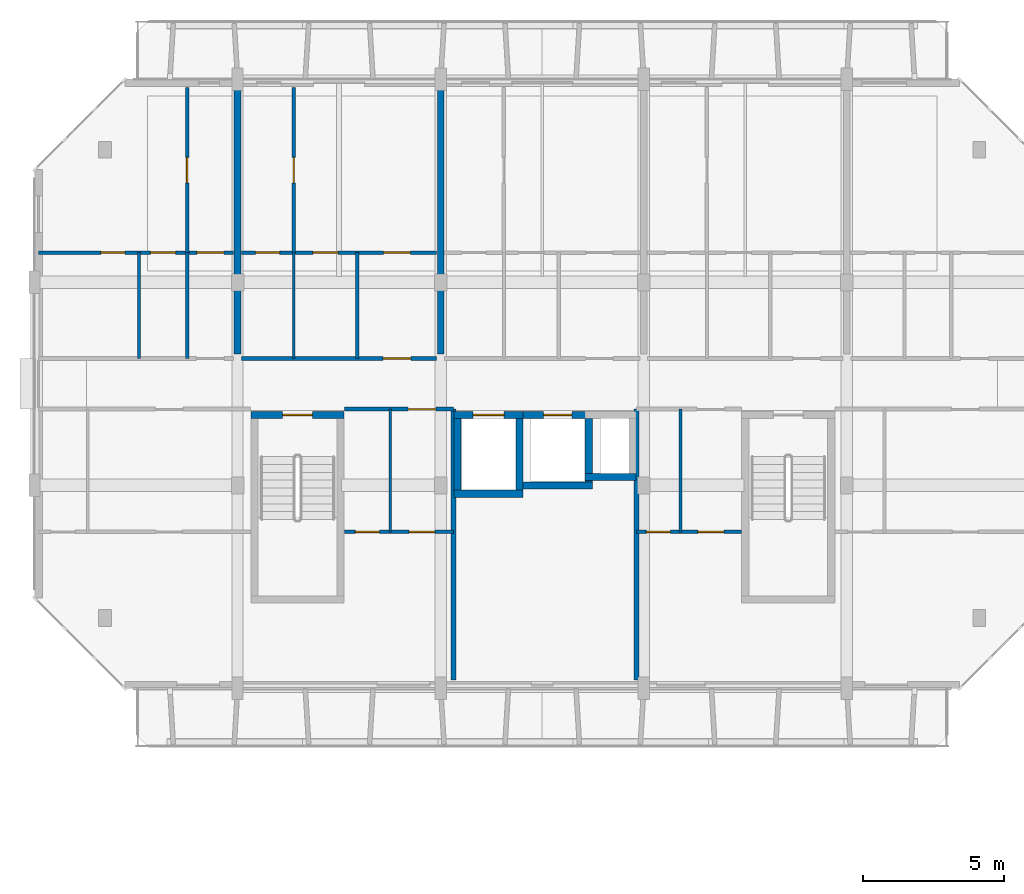
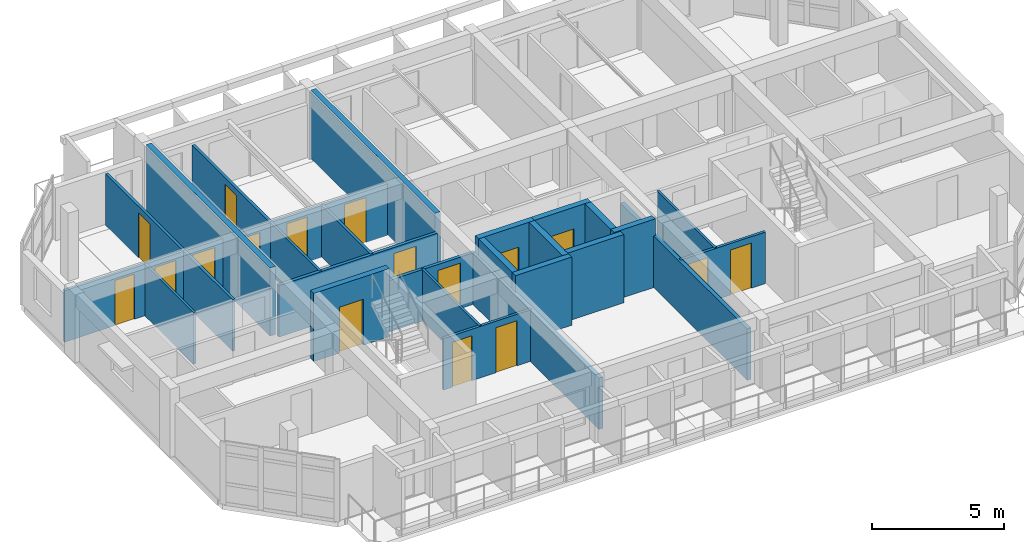
# One storey, part 19 of 44: 27 walls, 17 doors, 17 openings.
"""IFC4 building model written with IfcOpenShell, lengths in metres."""

from ifc_helpers import new_model, si_unit, direction, frame, frame_2d, origin, place, context, subcontext, project, spatial, rectangle, extrude, material, layer, layer_set, type_object, element, fill, save


model = new_model("IFC4")

# Units and contexts
model_context = context("Model", 3, precision=1e-05, world=origin(), true_north=direction((0.0, 1.0)))
body_context = subcontext(model_context, "Body", "Model", "MODEL_VIEW")
ifc_project = project(units=[si_unit("LENGTHUNIT", "METRE"), si_unit("AREAUNIT", "SQUARE_METRE"), si_unit("VOLUMEUNIT", "CUBIC_METRE"), si_unit("PLANEANGLEUNIT", "RADIAN"), si_unit("MASSUNIT", "GRAM", prefix="KILO")], contexts=[model_context])

# Site, building, storey
site_placement = place(None, origin())
site = spatial("IfcSite", under=ifc_project, at=site_placement, CompositionType="ELEMENT")
building_placement = place(site_placement, origin())
building = spatial("IfcBuilding", under=site, at=building_placement, Name="Ochrevale Crest", CompositionType="ELEMENT")
storey_placement = place(building_placement, frame((0.0, 0.0, 21.300048828125)))
storey = spatial("IfcBuildingStorey", under=building, at=storey_placement, Name="L06", CompositionType="ELEMENT", Elevation=21.300048828125)

# Wall, opening, door
ifc_material_1 = material(Name="Gypsum plasterboard", Category="gypsum")
ifc_layer_1 = layer(ifc_material_1, 0.139892578125)
ifc_layer_set_1 = layer_set([ifc_layer_1], Name="Gypsum plasterboard")
wall_type_1 = type_object("IfcWallType", Name="WL-COR-140", PredefinedType="PARTITIONING", material=ifc_layer_set_1)
wall_1_placement = place(storey_placement, frame((7.340087890625, 83.699951171875, 0.0), z_axis=(0.0, 0.0, 1.0), x_axis=(1.0, 0.0, 0.0)))
wall_1 = element("IfcWall", 1, at=wall_1_placement, inside=storey, type_object=wall_type_1, Name="Apartment B-L06-U2 corridor wall", PredefinedType="PARTITIONING", context=body_context, shape_type="SweptSolid", body=[
    extrude(rectangle(XDim=6.919921875, YDim=0.139892578125, at=frame_2d((3.4599609375, 0.0))), origin(), (0.0, 0.0, 1.0), 2.3798828125),
])
opening_1_placement = place(wall_1_placement, frame((5.02001953125, 0.0, 0.0)))
opening_1 = element("IfcOpeningElement", 2, at=opening_1_placement, cuts=wall_1, Name="Opening FD01", PredefinedType="OPENING", context=body_context, shape_type="SweptSolid", body=[
    extrude(rectangle(XDim=0.97998046875, YDim=2.10009765625, at=frame_2d((0.489990234375, 1.050048828125))), frame((0.0, 0.080078125, 0.0), z_axis=(0.0, -1.0, 0.0), x_axis=(1.0, 0.0, 0.0)), (0.0, 0.0, 1.0), 0.159912109375),
])
ifc_material_2 = material(Name="Solid-core FSC hardwood", Category="wood")
door_type_1 = type_object("IfcDoorType", Name="DR-APT-950", OperationType="NOTDEFINED", PredefinedType="DOOR", material=ifc_material_2)
door_1_placement = place(opening_1_placement, origin())
door_1 = element("IfcDoor", 3, at=door_1_placement, inside=storey, type_object=door_type_1, Name="Apartment B-L06-U2 entrance door", OperationType="SINGLE_SWING_LEFT", OverallHeight=2.10009765625, OverallWidth=0.97998046875, PredefinedType="DOOR", context=body_context, shape_type="SweptSolid", body=[
    extrude(rectangle(XDim=0.97998046875, YDim=2.10009765625, at=frame_2d((0.489990234375, 1.050048828125))), frame((0.0, 0.02490234375, 0.0), z_axis=(0.0, -1.0, 0.0), x_axis=(1.0, 0.0, 0.0)), (0.0, 0.0, 1.0), 0.050048828125),
])
fill(opening_1, door_1)

wall_2_placement = place(storey_placement, frame((10.989990234375, 81.89990234375, 0.0), z_axis=(0.0, 0.0, 1.0), x_axis=(1.0, 0.0, 0.0)))
wall_2 = element("IfcWall", 4, at=wall_2_placement, inside=storey, type_object=wall_type_1, Name="Suite B-L06-MW corridor wall", PredefinedType="PARTITIONING", context=body_context, shape_type="SweptSolid", body=[
    extrude(rectangle(XDim=3.8701171875, YDim=0.139892578125, at=frame_2d((1.93505859375, 0.0))), origin(), (0.0, 0.0, 1.0), 2.3798828125),
])
opening_2_placement = place(wall_2_placement, frame((2.2578125, 0.0, 0.0)))
opening_2 = element("IfcOpeningElement", 5, at=opening_2_placement, cuts=wall_2, Name="Opening FD01", PredefinedType="OPENING", context=body_context, shape_type="SweptSolid", body=[
    extrude(rectangle(XDim=0.97998046875, YDim=2.10009765625, at=frame_2d((0.489990234375, 1.050048828125))), frame((0.0, 0.080078125, 0.0), z_axis=(0.0, -1.0, 0.0), x_axis=(1.0, 0.0, 0.0)), (0.0, 0.0, 1.0), 0.159912109375),
])
door_2_placement = place(opening_2_placement, origin())
door_2 = element("IfcDoor", 6, at=door_2_placement, inside=storey, type_object=door_type_1, Name="Suite B-L06-MW entrance door", OperationType="SINGLE_SWING_LEFT", OverallHeight=2.10009765625, OverallWidth=0.97998046875, PredefinedType="DOOR", context=body_context, shape_type="SweptSolid", body=[
    extrude(rectangle(XDim=0.97998046875, YDim=2.10009765625, at=frame_2d((0.489990234375, 1.050048828125))), frame((0.0, 0.02490234375, 0.0), z_axis=(0.0, -1.0, 0.0), x_axis=(1.0, 0.0, 0.0)), (0.0, 0.0, 1.0), 0.050048828125),
])
fill(opening_2, door_2)

ifc_material_3 = material(Name="Precast concrete C50/60", Category="concrete")
ifc_layer_2 = layer(ifc_material_3, 0.2548828125)
ifc_layer_set_2 = layer_set([ifc_layer_2], Name="Precast concrete C50/60")
wall_type_2 = type_object("IfcWallType", Name="WL-CORE-255", PredefinedType="SHEAR", material=ifc_layer_set_2)
wall_3_placement = place(storey_placement, frame((7.672607421875, 81.699951171875, 0.0), z_axis=(0.0, 0.0, 1.0), x_axis=(1.0, 0.0, 0.0)))
wall_3 = element("IfcWall", 7, at=wall_3_placement, inside=storey, type_object=wall_type_2, Name="Block B L06 Stair 1 precast core shear wall N", PredefinedType="SHEAR", context=body_context, shape_type="SweptSolid", body=[
    extrude(rectangle(XDim=3.304931640625, YDim=0.2548828125, at=frame_2d((1.65234375, 0.0))), origin(), (0.0, 0.0, 1.0), 3.14990234375),
])
opening_3_placement = place(wall_3_placement, frame((2.177490234375, 0.0, 0.0), z_axis=(0.0, 0.0, 1.0), x_axis=(-1.0, 0.0, 0.0)))
opening_3 = element("IfcOpeningElement", 8, at=opening_3_placement, cuts=wall_3, Name="Opening FD03", PredefinedType="OPENING", context=body_context, shape_type="SweptSolid", body=[
    extrude(rectangle(XDim=1.050048828125, YDim=2.1201171875, at=frame_2d((0.52490234375, 1.06005859375))), frame((0.0, 0.137451171875, 0.0), z_axis=(0.0, -1.0, 0.0), x_axis=(1.0, 0.0, 0.0)), (0.0, 0.0, 1.0), 0.27490234375),
])
door_type_2 = type_object("IfcDoorType", Name="DR-ST-1050", OperationType="NOTDEFINED", PredefinedType="DOOR", material=ifc_material_2)
door_3_placement = place(opening_3_placement, origin())
door_3 = element("IfcDoor", 9, at=door_3_placement, inside=storey, type_object=door_type_2, Name="Block B L06 fire stair 1 door", OperationType="SINGLE_SWING_RIGHT", OverallHeight=2.1201171875, OverallWidth=1.050048828125, PredefinedType="DOOR", context=body_context, shape_type="SweptSolid", body=[
    extrude(rectangle(XDim=1.050048828125, YDim=2.1201171875, at=frame_2d((0.52490234375, 1.06005859375))), frame((0.0, 0.02490234375, 0.0), z_axis=(0.0, -1.0, 0.0), x_axis=(1.0, 0.0, 0.0)), (0.0, 0.0, 1.0), 0.050048828125),
])
fill(opening_3, door_3)

# Wall
wall_4_placement = place(storey_placement, frame((14.87255859375, 78.89990234375, 0.0), z_axis=(0.0, 0.0, 1.0), x_axis=(1.0, 0.0, 0.0)))
element("IfcWall", 10, at=wall_4_placement, inside=storey, type_object=wall_type_2, Name="Block B L06 Lift 1 precast shaft shear wall S", PredefinedType="SHEAR", context=body_context, shape_type="SweptSolid", body=[
    extrude(rectangle(XDim=2.454833984375, YDim=0.2548828125, at=frame_2d((1.2275390625, 0.0))), origin(), (0.0, 0.0, 1.0), 3.14990234375),
])

# Wall, opening, door
wall_5_placement = place(storey_placement, frame((14.87255859375, 81.699951171875, 0.0), z_axis=(0.0, 0.0, 1.0), x_axis=(1.0, 0.0, 0.0)))
wall_5 = element("IfcWall", 11, at=wall_5_placement, inside=storey, type_object=wall_type_2, Name="Block B L06 Lift 1 precast shaft shear wall N", PredefinedType="SHEAR", context=body_context, shape_type="SweptSolid", body=[
    extrude(rectangle(XDim=2.454833984375, YDim=0.2548828125, at=frame_2d((1.2275390625, 0.0))), origin(), (0.0, 0.0, 1.0), 3.14990234375),
])
opening_4_placement = place(wall_5_placement, frame((0.677490234375, 0.0, 0.0)))
opening_4 = element("IfcOpeningElement", 12, at=opening_4_placement, cuts=wall_5, Name="Opening LD01", PredefinedType="OPENING", context=body_context, shape_type="SweptSolid", body=[
    extrude(rectangle(XDim=1.10009765625, YDim=2.14990234375, at=frame_2d((0.550048828125, 1.074951171875))), frame((0.0, 0.137451171875, 0.0), z_axis=(0.0, -1.0, 0.0), x_axis=(1.0, 0.0, 0.0)), (0.0, 0.0, 1.0), 0.27490234375),
])
door_type_3 = type_object("IfcDoorType", Name="DR-LIFT-1100", OperationType="NOTDEFINED", PredefinedType="DOOR", material=ifc_material_2)
door_4_placement = place(opening_4_placement, origin())
door_4 = element("IfcDoor", 13, at=door_4_placement, inside=storey, type_object=door_type_3, Name="Lift LF-B1 L06 sliding landing door", OperationType="SLIDING_TO_LEFT", OverallHeight=2.14990234375, OverallWidth=1.10009765625, PredefinedType="DOOR", context=body_context, shape_type="SweptSolid", body=[
    extrude(rectangle(XDim=1.10009765625, YDim=2.14990234375, at=frame_2d((0.550048828125, 1.074951171875))), frame((0.0, 0.02490234375, 0.0), z_axis=(0.0, -1.0, 0.0), x_axis=(1.0, 0.0, 0.0)), (0.0, 0.0, 1.0), 0.050048828125),
])
fill(opening_4, door_4)

# Walls
for number, where, z_axis, x_axis, name in (
    (14, (15.0, 79.027587890625, 0.0), (0.0, 0.0, 1.0), (0.0, 1.0, 0.0), "Block B L06 Lift 1 precast shaft shear wall W"),
    (15, (17.199951171875, 79.027587890625, 0.0), (0.0, 0.0, 1.0), (0.0, 1.0, 0.0), "Block B L06 Lift 1 precast shaft shear wall E"),
):
    element("IfcWall", number, at=place(storey_placement, frame(where, z_axis=z_axis, x_axis=x_axis)), inside=storey, type_object=wall_type_2, Name=name, PredefinedType="SHEAR", context=body_context, shape_type="SweptSolid", body=[
        extrude(rectangle(XDim=2.544921875, YDim=0.2548828125, at=frame_2d((1.2724609375, 0.0))), origin(), (0.0, 0.0, 1.0), 3.14990234375),
    ])
wall_6_placement = place(storey_placement, frame((17.322509765625, 79.199951171875, 0.0), z_axis=(0.0, 0.0, 1.0), x_axis=(1.0, 0.0, 0.0)))
element("IfcWall", 16, at=wall_6_placement, inside=storey, type_object=wall_type_2, Name="Block B L06 Lift 2 precast shaft shear wall S", PredefinedType="SHEAR", context=body_context, shape_type="SweptSolid", body=[
    extrude(rectangle(XDim=2.455078125, YDim=0.2548828125, at=frame_2d((1.2275390625, 0.0))), origin(), (0.0, 0.0, 1.0), 3.14990234375),
])

# Wall, opening, door
wall_7_placement = place(storey_placement, frame((17.322509765625, 81.699951171875, 0.0), z_axis=(0.0, 0.0, 1.0), x_axis=(1.0, 0.0, 0.0)))
wall_7 = element("IfcWall", 17, at=wall_7_placement, inside=storey, type_object=wall_type_2, Name="Block B L06 Lift 2 precast shaft shear wall N", PredefinedType="SHEAR", context=body_context, shape_type="SweptSolid", body=[
    extrude(rectangle(XDim=2.455078125, YDim=0.2548828125, at=frame_2d((1.2275390625, 0.0))), origin(), (0.0, 0.0, 1.0), 3.14990234375),
])
opening_5_placement = place(wall_7_placement, frame((0.7275390625, 0.0, 0.0)))
opening_5 = element("IfcOpeningElement", 18, at=opening_5_placement, cuts=wall_7, Name="Opening LD02", PredefinedType="OPENING", context=body_context, shape_type="SweptSolid", body=[
    extrude(rectangle(XDim=1.0, YDim=2.14990234375, at=frame_2d((0.5, 1.074951171875))), frame((0.0, 0.137451171875, 0.0), z_axis=(0.0, -1.0, 0.0), x_axis=(1.0, 0.0, 0.0)), (0.0, 0.0, 1.0), 0.27490234375),
])
door_type_4 = type_object("IfcDoorType", Name="DR-LIFT-1000", OperationType="NOTDEFINED", PredefinedType="DOOR", material=ifc_material_2)
door_5_placement = place(opening_5_placement, origin())
door_5 = element("IfcDoor", 19, at=door_5_placement, inside=storey, type_object=door_type_4, Name="Lift LP-B2 L06 sliding landing door", OperationType="SLIDING_TO_RIGHT", OverallHeight=2.14990234375, OverallWidth=1.0, PredefinedType="DOOR", context=body_context, shape_type="SweptSolid", body=[
    extrude(rectangle(XDim=1.0, YDim=2.14990234375, at=frame_2d((0.5, 1.074951171875))), frame((0.0, 0.02490234375, 0.0), z_axis=(0.0, -1.0, 0.0), x_axis=(1.0, 0.0, 0.0)), (0.0, 0.0, 1.0), 0.050048828125),
])
fill(opening_5, door_5)

# Walls
wall_8_placement = place(storey_placement, frame((19.64990234375, 79.327392578125, 0.0), z_axis=(0.0, 0.0, 1.0), x_axis=(0.0, 1.0, 0.0)))
element("IfcWall", 20, at=wall_8_placement, inside=storey, type_object=wall_type_2, Name="Block B L06 Lift 2 precast shaft shear wall E", PredefinedType="SHEAR", context=body_context, shape_type="SweptSolid", body=[
    extrude(rectangle(XDim=2.2451171875, YDim=0.2548828125, at=frame_2d((1.12255859375, 0.0))), origin(), (0.0, 0.0, 1.0), 3.14990234375),
])
wall_9_placement = place(storey_placement, frame((19.5224609375, 79.5, 0.0), z_axis=(0.0, 0.0, 1.0), x_axis=(1.0, 0.0, 0.0)))
element("IfcWall", 21, at=wall_9_placement, inside=storey, type_object=wall_type_2, Name="Block B L06 services riser shaft core wall S", PredefinedType="SHEAR", context=body_context, shape_type="SweptSolid", body=[
    extrude(rectangle(XDim=1.804931640625, YDim=0.2548828125, at=frame_2d((0.90234375, 0.0))), origin(), (0.0, 0.0, 1.0), 3.14990234375),
])
ifc_layer_3 = layer(ifc_material_1, 0.1201171875)
ifc_layer_set_3 = layer_set([ifc_layer_3], Name="Gypsum plasterboard")
wall_type_3 = type_object("IfcWallType", Name="WL-PART-120", PredefinedType="PARTITIONING", material=ifc_layer_set_3)
wall_10_placement = place(storey_placement, frame((5.409912109375, 83.699951171875, 0.0), z_axis=(0.0, 0.0, 1.0), x_axis=(0.0, 1.0, 0.0)))
element("IfcWall", 22, at=wall_10_placement, inside=storey, type_object=wall_type_3, Name="Apartment B-L06-U1 kitchen-foyer wall", PredefinedType="PARTITIONING", context=body_context, shape_type="SweptSolid", body=[
    extrude(rectangle(XDim=3.75, YDim=0.1201171875, at=frame_2d((1.875, 0.0))), origin(), (0.0, 0.0, 1.0), 2.3798828125),
])

# Wall, openings, doors
wall_11_placement = place(storey_placement, frame((0.139892578125, 87.449951171875, 0.0), z_axis=(0.0, 0.0, 1.0), x_axis=(1.0, 0.0, 0.0)))
wall_11 = element("IfcWall", 23, at=wall_11_placement, inside=storey, type_object=wall_type_3, Name="Apartment B-L06-U1 central partition", PredefinedType="PARTITIONING", context=body_context, shape_type="SweptSolid", body=[
    extrude(rectangle(XDim=6.920166015625, YDim=0.1201171875, at=frame_2d((3.4599609375, 0.0))), origin(), (0.0, 0.0, 1.0), 2.3798828125),
])
opening_6_placement = place(wall_11_placement, frame((2.2099609375, 0.0, 0.0)))
opening_6 = element("IfcOpeningElement", 24, at=opening_6_placement, cuts=wall_11, Name="Opening ID01", PredefinedType="OPENING", context=body_context, shape_type="SweptSolid", body=[
    extrude(rectangle(XDim=0.85009765625, YDim=2.080078125, at=frame_2d((0.425048828125, 1.0400390625))), frame((0.0, 0.070068359375, 0.0), z_axis=(0.0, -1.0, 0.0), x_axis=(1.0, 0.0, 0.0)), (0.0, 0.0, 1.0), 0.14013671875),
])
opening_7_placement = place(wall_11_placement, frame((4.864990234375, 0.0, 0.0), z_axis=(0.0, 0.0, 1.0), x_axis=(-1.0, 0.0, 0.0)))
opening_7 = element("IfcOpeningElement", 25, at=opening_7_placement, cuts=wall_11, Name="Opening ID02", PredefinedType="OPENING", context=body_context, shape_type="SweptSolid", body=[
    extrude(rectangle(XDim=0.89990234375, YDim=2.080078125, at=frame_2d((0.449951171875, 1.0400390625))), frame((0.0, 0.070068359375, 0.0), z_axis=(0.0, -1.0, 0.0), x_axis=(1.0, 0.0, 0.0)), (0.0, 0.0, 1.0), 0.14013671875),
])
opening_8_placement = place(wall_11_placement, frame((5.6201171875, 0.0, 0.0)))
opening_8 = element("IfcOpeningElement", 26, at=opening_8_placement, cuts=wall_11, Name="Opening ID06", PredefinedType="OPENING", context=body_context, shape_type="SweptSolid", body=[
    extrude(rectangle(XDim=0.949951171875, YDim=2.080078125, at=frame_2d((0.47509765625, 1.0400390625))), frame((0.0, 0.070068359375, 0.0), z_axis=(0.0, -1.0, 0.0), x_axis=(1.0, 0.0, 0.0)), (0.0, 0.0, 1.0), 0.14013671875),
])
door_type_5 = type_object("IfcDoorType", Name="DR-INT-900", OperationType="NOTDEFINED", PredefinedType="DOOR", material=ifc_material_2)
door_6_placement = place(opening_7_placement, origin())
door_6 = element("IfcDoor", 27, at=door_6_placement, inside=storey, type_object=door_type_5, Name="Apartment B-L06-U1 Kitchen door", OperationType="SINGLE_SWING_RIGHT", OverallHeight=2.080078125, OverallWidth=0.89990234375, PredefinedType="DOOR", context=body_context, shape_type="SweptSolid", body=[
    extrude(rectangle(XDim=0.89990234375, YDim=2.080078125, at=frame_2d((0.449951171875, 1.0400390625))), frame((0.0, 0.02490234375, 0.0), z_axis=(0.0, -1.0, 0.0), x_axis=(1.0, 0.0, 0.0)), (0.0, 0.0, 1.0), 0.050048828125),
])
fill(opening_7, door_6)
door_type_6 = type_object("IfcDoorType", Name="DR-INT-950", OperationType="NOTDEFINED", PredefinedType="DOOR", material=ifc_material_2)
door_7_placement = place(opening_8_placement, origin())
door_7 = element("IfcDoor", 28, at=door_7_placement, inside=storey, type_object=door_type_6, Name="Apartment B-L06-U1 Living Foyer door", OperationType="SINGLE_SWING_LEFT", OverallHeight=2.080078125, OverallWidth=0.949951171875, PredefinedType="DOOR", context=body_context, shape_type="SweptSolid", body=[
    extrude(rectangle(XDim=0.949951171875, YDim=2.080078125, at=frame_2d((0.47509765625, 1.0400390625))), frame((0.0, 0.02490234375, 0.0), z_axis=(0.0, -1.0, 0.0), x_axis=(1.0, 0.0, 0.0)), (0.0, 0.0, 1.0), 0.050048828125),
])
fill(opening_8, door_7)
door_type_7 = type_object("IfcDoorType", Name="DR-WC-850", OperationType="NOTDEFINED", PredefinedType="DOOR", material=ifc_material_2)
door_8_placement = place(opening_6_placement, origin())
door_8 = element("IfcDoor", 29, at=door_8_placement, inside=storey, type_object=door_type_7, Name="Apartment B-L06-U1 Bathroom door", OperationType="SINGLE_SWING_LEFT", OverallHeight=2.080078125, OverallWidth=0.85009765625, PredefinedType="DOOR", context=body_context, shape_type="SweptSolid", body=[
    extrude(rectangle(XDim=0.85009765625, YDim=2.080078125, at=frame_2d((0.425048828125, 1.0400390625))), frame((0.0, 0.02490234375, 0.0), z_axis=(0.0, -1.0, 0.0), x_axis=(1.0, 0.0, 0.0)), (0.0, 0.0, 1.0), 0.050048828125),
])
fill(opening_6, door_8)

# Wall, opening, door
wall_12_placement = place(storey_placement, frame((5.409912109375, 87.449951171875, 0.0), z_axis=(0.0, 0.0, 1.0), x_axis=(0.0, 1.0, 0.0)))
wall_12 = element("IfcWall", 30, at=wall_12_placement, inside=storey, type_object=wall_type_3, Name="Apartment B-L06-U1 bedroom partition", PredefinedType="PARTITIONING", context=body_context, shape_type="SweptSolid", body=[
    extrude(rectangle(XDim=5.85009765625, YDim=0.1201171875, at=frame_2d((2.925048828125, 0.0))), origin(), (0.0, 0.0, 1.0), 2.3798828125),
])
opening_9_placement = place(wall_12_placement, frame((3.375, 0.0, 0.0), z_axis=(0.0, 0.0, 1.0), x_axis=(-1.0, 0.0, 0.0)))
opening_9 = element("IfcOpeningElement", 31, at=opening_9_placement, cuts=wall_12, Name="Opening ID02", PredefinedType="OPENING", context=body_context, shape_type="SweptSolid", body=[
    extrude(rectangle(XDim=0.89990234375, YDim=2.080078125, at=frame_2d((0.449951171875, 1.0400390625))), frame((0.0, 0.070068359375, 0.0), z_axis=(0.0, -1.0, 0.0), x_axis=(1.0, 0.0, 0.0)), (0.0, 0.0, 1.0), 0.14013671875),
])
door_9_placement = place(opening_9_placement, origin())
door_9 = element("IfcDoor", 32, at=door_9_placement, inside=storey, type_object=door_type_5, Name="Apartment B-L06-U1 Double Bedroom door", OperationType="SINGLE_SWING_RIGHT", OverallHeight=2.080078125, OverallWidth=0.89990234375, PredefinedType="DOOR", context=body_context, shape_type="SweptSolid", body=[
    extrude(rectangle(XDim=0.89990234375, YDim=2.080078125, at=frame_2d((0.449951171875, 1.0400390625))), frame((0.0, 0.02490234375, 0.0), z_axis=(0.0, -1.0, 0.0), x_axis=(1.0, 0.0, 0.0)), (0.0, 0.0, 1.0), 0.050048828125),
])
fill(opening_9, door_9)

# Wall
wall_13_placement = place(storey_placement, frame((11.43994140625, 83.699951171875, 0.0), z_axis=(0.0, 0.0, 1.0), x_axis=(0.0, 1.0, 0.0)))
element("IfcWall", 33, at=wall_13_placement, inside=storey, type_object=wall_type_3, Name="Apartment B-L06-U2 kitchen-foyer wall", PredefinedType="PARTITIONING", context=body_context, shape_type="SweptSolid", body=[
    extrude(rectangle(XDim=3.75, YDim=0.1201171875, at=frame_2d((1.875, 0.0))), origin(), (0.0, 0.0, 1.0), 2.3798828125),
])

# Wall, openings, doors
wall_14_placement = place(storey_placement, frame((7.340087890625, 87.449951171875, 0.0), z_axis=(0.0, 0.0, 1.0), x_axis=(1.0, 0.0, 0.0)))
wall_14 = element("IfcWall", 34, at=wall_14_placement, inside=storey, type_object=wall_type_3, Name="Apartment B-L06-U2 central partition", PredefinedType="PARTITIONING", context=body_context, shape_type="SweptSolid", body=[
    extrude(rectangle(XDim=6.919921875, YDim=0.1201171875, at=frame_2d((3.4599609375, 0.0))), origin(), (0.0, 0.0, 1.0), 2.3798828125),
])
opening_10_placement = place(wall_14_placement, frame((1.35009765625, 0.0, 0.0), z_axis=(0.0, 0.0, 1.0), x_axis=(-1.0, 0.0, 0.0)))
opening_10 = element("IfcOpeningElement", 35, at=opening_10_placement, cuts=wall_14, Name="Opening ID01", PredefinedType="OPENING", context=body_context, shape_type="SweptSolid", body=[
    extrude(rectangle(XDim=0.85009765625, YDim=2.080078125, at=frame_2d((0.425048828125, 1.0400390625))), frame((0.0, 0.070068359375, 0.0), z_axis=(0.0, -1.0, 0.0), x_axis=(1.0, 0.0, 0.0)), (0.0, 0.0, 1.0), 0.14013671875),
])
opening_11_placement = place(wall_14_placement, frame((2.52490234375, 0.0, 0.0)))
opening_11 = element("IfcOpeningElement", 36, at=opening_11_placement, cuts=wall_14, Name="Opening ID02", PredefinedType="OPENING", context=body_context, shape_type="SweptSolid", body=[
    extrude(rectangle(XDim=0.89990234375, YDim=2.080078125, at=frame_2d((0.449951171875, 1.0400390625))), frame((0.0, 0.070068359375, 0.0), z_axis=(0.0, -1.0, 0.0), x_axis=(1.0, 0.0, 0.0)), (0.0, 0.0, 1.0), 0.14013671875),
])
opening_12_placement = place(wall_14_placement, frame((5.98486328125, 0.0, 0.0), z_axis=(0.0, 0.0, 1.0), x_axis=(-1.0, 0.0, 0.0)))
opening_12 = element("IfcOpeningElement", 37, at=opening_12_placement, cuts=wall_14, Name="Opening ID06", PredefinedType="OPENING", context=body_context, shape_type="SweptSolid", body=[
    extrude(rectangle(XDim=0.949951171875, YDim=2.080078125, at=frame_2d((0.47509765625, 1.0400390625))), frame((0.0, 0.070068359375, 0.0), z_axis=(0.0, -1.0, 0.0), x_axis=(1.0, 0.0, 0.0)), (0.0, 0.0, 1.0), 0.14013671875),
])
door_10_placement = place(opening_11_placement, origin())
door_10 = element("IfcDoor", 38, at=door_10_placement, inside=storey, type_object=door_type_5, Name="Apartment B-L06-U2 Kitchen door", OperationType="SINGLE_SWING_LEFT", OverallHeight=2.080078125, OverallWidth=0.89990234375, PredefinedType="DOOR", context=body_context, shape_type="SweptSolid", body=[
    extrude(rectangle(XDim=0.89990234375, YDim=2.080078125, at=frame_2d((0.449951171875, 1.0400390625))), frame((0.0, 0.02490234375, 0.0), z_axis=(0.0, -1.0, 0.0), x_axis=(1.0, 0.0, 0.0)), (0.0, 0.0, 1.0), 0.050048828125),
])
fill(opening_11, door_10)
door_11_placement = place(opening_12_placement, origin())
door_11 = element("IfcDoor", 39, at=door_11_placement, inside=storey, type_object=door_type_6, Name="Apartment B-L06-U2 Living Foyer door", OperationType="SINGLE_SWING_RIGHT", OverallHeight=2.080078125, OverallWidth=0.949951171875, PredefinedType="DOOR", context=body_context, shape_type="SweptSolid", body=[
    extrude(rectangle(XDim=0.949951171875, YDim=2.080078125, at=frame_2d((0.47509765625, 1.0400390625))), frame((0.0, 0.02490234375, 0.0), z_axis=(0.0, -1.0, 0.0), x_axis=(1.0, 0.0, 0.0)), (0.0, 0.0, 1.0), 0.050048828125),
])
fill(opening_12, door_11)
door_12_placement = place(opening_10_placement, origin())
door_12 = element("IfcDoor", 40, at=door_12_placement, inside=storey, type_object=door_type_7, Name="Apartment B-L06-U2 Bathroom door", OperationType="SINGLE_SWING_RIGHT", OverallHeight=2.080078125, OverallWidth=0.85009765625, PredefinedType="DOOR", context=body_context, shape_type="SweptSolid", body=[
    extrude(rectangle(XDim=0.85009765625, YDim=2.080078125, at=frame_2d((0.425048828125, 1.0400390625))), frame((0.0, 0.02490234375, 0.0), z_axis=(0.0, -1.0, 0.0), x_axis=(1.0, 0.0, 0.0)), (0.0, 0.0, 1.0), 0.050048828125),
])
fill(opening_10, door_12)

# Wall, opening, door
wall_15_placement = place(storey_placement, frame((9.18994140625, 87.449951171875, 0.0), z_axis=(0.0, 0.0, 1.0), x_axis=(0.0, 1.0, 0.0)))
wall_15 = element("IfcWall", 41, at=wall_15_placement, inside=storey, type_object=wall_type_3, Name="Apartment B-L06-U2 bedroom partition", PredefinedType="PARTITIONING", context=body_context, shape_type="SweptSolid", body=[
    extrude(rectangle(XDim=5.85009765625, YDim=0.1201171875, at=frame_2d((2.925048828125, 0.0))), origin(), (0.0, 0.0, 1.0), 2.3798828125),
])
opening_13_placement = place(wall_15_placement, frame((2.47509765625, 0.0, 0.0)))
opening_13 = element("IfcOpeningElement", 42, at=opening_13_placement, cuts=wall_15, Name="Opening ID02", PredefinedType="OPENING", context=body_context, shape_type="SweptSolid", body=[
    extrude(rectangle(XDim=0.89990234375, YDim=2.080078125, at=frame_2d((0.449951171875, 1.0400390625))), frame((0.0, 0.070068359375, 0.0), z_axis=(0.0, -1.0, 0.0), x_axis=(1.0, 0.0, 0.0)), (0.0, 0.0, 1.0), 0.14013671875),
])
door_13_placement = place(opening_13_placement, origin())
door_13 = element("IfcDoor", 43, at=door_13_placement, inside=storey, type_object=door_type_5, Name="Apartment B-L06-U2 Master Bedroom door", OperationType="SINGLE_SWING_LEFT", OverallHeight=2.080078125, OverallWidth=0.89990234375, PredefinedType="DOOR", context=body_context, shape_type="SweptSolid", body=[
    extrude(rectangle(XDim=0.89990234375, YDim=2.080078125, at=frame_2d((0.449951171875, 1.0400390625))), frame((0.0, 0.02490234375, 0.0), z_axis=(0.0, -1.0, 0.0), x_axis=(1.0, 0.0, 0.0)), (0.0, 0.0, 1.0), 0.050048828125),
])
fill(opening_13, door_13)

# Wall, openings, doors
wall_16_placement = place(storey_placement, frame((10.989990234375, 77.550048828125, 0.0), z_axis=(0.0, 0.0, 1.0), x_axis=(1.0, 0.0, 0.0)))
wall_16 = element("IfcWall", 44, at=wall_16_placement, inside=storey, type_object=wall_type_3, Name="Suite B-L06-MW internal wall", PredefinedType="PARTITIONING", context=body_context, shape_type="SweptSolid", body=[
    extrude(rectangle(XDim=3.8701171875, YDim=0.1201171875, at=frame_2d((1.93505859375, 0.0))), origin(), (0.0, 0.0, 1.0), 2.3798828125),
])
opening_14_placement = place(wall_16_placement, frame((1.23779296875, 0.0, 0.0), z_axis=(0.0, 0.0, 1.0), x_axis=(-1.0, 0.0, 0.0)))
opening_14 = element("IfcOpeningElement", 45, at=opening_14_placement, cuts=wall_16, Name="Opening ID01", PredefinedType="OPENING", context=body_context, shape_type="SweptSolid", body=[
    extrude(rectangle(XDim=0.85009765625, YDim=2.080078125, at=frame_2d((0.425048828125, 1.0400390625))), frame((0.0, 0.070068359375, 0.0), z_axis=(0.0, -1.0, 0.0), x_axis=(1.0, 0.0, 0.0)), (0.0, 0.0, 1.0), 0.14013671875),
])
opening_15_placement = place(wall_16_placement, frame((2.28759765625, 0.0, 0.0)))
opening_15 = element("IfcOpeningElement", 46, at=opening_15_placement, cuts=wall_16, Name="Opening ID04", PredefinedType="OPENING", context=body_context, shape_type="SweptSolid", body=[
    extrude(rectangle(XDim=0.919921875, YDim=2.080078125, at=frame_2d((0.4599609375, 1.0400390625))), frame((0.0, 0.070068359375, 0.0), z_axis=(0.0, -1.0, 0.0), x_axis=(1.0, 0.0, 0.0)), (0.0, 0.0, 1.0), 0.14013671875),
])
door_type_8 = type_object("IfcDoorType", Name="DR-INT-920", OperationType="NOTDEFINED", PredefinedType="DOOR", material=ifc_material_2)
door_14_placement = place(opening_15_placement, origin())
door_14 = element("IfcDoor", 47, at=door_14_placement, inside=storey, type_object=door_type_8, Name="Suite B-L06-MW Courtyard Studio Living door", OperationType="SINGLE_SWING_LEFT", OverallHeight=2.080078125, OverallWidth=0.919921875, PredefinedType="DOOR", context=body_context, shape_type="SweptSolid", body=[
    extrude(rectangle(XDim=0.919921875, YDim=2.080078125, at=frame_2d((0.4599609375, 1.0400390625))), frame((0.0, 0.02490234375, 0.0), z_axis=(0.0, -1.0, 0.0), x_axis=(1.0, 0.0, 0.0)), (0.0, 0.0, 1.0), 0.050048828125),
])
fill(opening_15, door_14)
door_15_placement = place(opening_14_placement, origin())
door_15 = element("IfcDoor", 48, at=door_15_placement, inside=storey, type_object=door_type_7, Name="Suite B-L06-MW Bathroom door", OperationType="SINGLE_SWING_RIGHT", OverallHeight=2.080078125, OverallWidth=0.85009765625, PredefinedType="DOOR", context=body_context, shape_type="SweptSolid", body=[
    extrude(rectangle(XDim=0.85009765625, YDim=2.080078125, at=frame_2d((0.425048828125, 1.0400390625))), frame((0.0, 0.02490234375, 0.0), z_axis=(0.0, -1.0, 0.0), x_axis=(1.0, 0.0, 0.0)), (0.0, 0.0, 1.0), 0.050048828125),
])
fill(opening_14, door_15)

wall_17_placement = place(storey_placement, frame((21.340087890625, 77.550048828125, 0.0), z_axis=(0.0, 0.0, 1.0), x_axis=(1.0, 0.0, 0.0)))
wall_17 = element("IfcWall", 49, at=wall_17_placement, inside=storey, type_object=wall_type_3, Name="Suite B-L06-ME internal wall", PredefinedType="PARTITIONING", context=body_context, shape_type="SweptSolid", body=[
    extrude(rectangle(XDim=3.719970703125, YDim=0.1201171875, at=frame_2d((1.85986328125, 0.0))), origin(), (0.0, 0.0, 1.0), 2.3798828125),
])
opening_16_placement = place(wall_17_placement, frame((0.356201171875, 0.0, 0.0)))
opening_16 = element("IfcOpeningElement", 50, at=opening_16_placement, cuts=wall_17, Name="Opening ID01", PredefinedType="OPENING", context=body_context, shape_type="SweptSolid", body=[
    extrude(rectangle(XDim=0.85009765625, YDim=2.080078125, at=frame_2d((0.425048828125, 1.0400390625))), frame((0.0, 0.070068359375, 0.0), z_axis=(0.0, -1.0, 0.0), x_axis=(1.0, 0.0, 0.0)), (0.0, 0.0, 1.0), 0.14013671875),
])
opening_17_placement = place(wall_17_placement, frame((3.10107421875, 0.0, 0.0), z_axis=(0.0, 0.0, 1.0), x_axis=(-1.0, 0.0, 0.0)))
opening_17 = element("IfcOpeningElement", 51, at=opening_17_placement, cuts=wall_17, Name="Opening ID04", PredefinedType="OPENING", context=body_context, shape_type="SweptSolid", body=[
    extrude(rectangle(XDim=0.919921875, YDim=2.080078125, at=frame_2d((0.4599609375, 1.0400390625))), frame((0.0, 0.070068359375, 0.0), z_axis=(0.0, -1.0, 0.0), x_axis=(1.0, 0.0, 0.0)), (0.0, 0.0, 1.0), 0.14013671875),
])
door_16_placement = place(opening_17_placement, origin())
door_16 = element("IfcDoor", 52, at=door_16_placement, inside=storey, type_object=door_type_8, Name="Suite B-L06-ME Garden Alcove Studio door", OperationType="SINGLE_SWING_RIGHT", OverallHeight=2.080078125, OverallWidth=0.919921875, PredefinedType="DOOR", context=body_context, shape_type="SweptSolid", body=[
    extrude(rectangle(XDim=0.919921875, YDim=2.080078125, at=frame_2d((0.4599609375, 1.0400390625))), frame((0.0, 0.02490234375, 0.0), z_axis=(0.0, -1.0, 0.0), x_axis=(1.0, 0.0, 0.0)), (0.0, 0.0, 1.0), 0.050048828125),
])
fill(opening_17, door_16)
door_17_placement = place(opening_16_placement, origin())
door_17 = element("IfcDoor", 53, at=door_17_placement, inside=storey, type_object=door_type_7, Name="Suite B-L06-ME Bathroom door", OperationType="SINGLE_SWING_LEFT", OverallHeight=2.080078125, OverallWidth=0.85009765625, PredefinedType="DOOR", context=body_context, shape_type="SweptSolid", body=[
    extrude(rectangle(XDim=0.85009765625, YDim=2.080078125, at=frame_2d((0.425048828125, 1.0400390625))), frame((0.0, 0.02490234375, 0.0), z_axis=(0.0, -1.0, 0.0), x_axis=(1.0, 0.0, 0.0)), (0.0, 0.0, 1.0), 0.050048828125),
])
fill(opening_16, door_17)

# Walls
ifc_layer_4 = layer(ifc_material_3, 0.239990234375)
ifc_layer_set_4 = layer_set([ifc_layer_4], Name="Precast concrete C50/60")
wall_type_4 = type_object("IfcWallType", Name="WL-SHEAR-240", PredefinedType="SHEAR", material=ifc_layer_set_4)
for number, where, z_axis, x_axis, name in (
    (54, (7.199951171875, 83.85009765625, 0.0), (0.0, 0.0, 1.0), (0.0, 1.0, 0.0), "Block B L06 load-bearing precast cross-wall X=7.2"),
    (55, (14.39990234375, 83.85009765625, 0.0), (0.0, 0.0, 1.0), (0.0, 1.0, 0.0), "Block B L06 load-bearing precast cross-wall X=14.4"),
):
    element("IfcWall", number, at=place(storey_placement, frame(where, z_axis=z_axis, x_axis=x_axis)), inside=storey, type_object=wall_type_4, Name=name, PredefinedType="SHEAR", context=body_context, shape_type="SweptSolid", body=[
        extrude(rectangle(XDim=9.39990234375, YDim=0.239990234375, at=frame_2d((4.699951171875, 0.0))), origin(), (0.0, 0.0, 1.0), 3.14990234375),
    ])
ifc_layer_5 = layer(ifc_material_1, 0.169921875)
ifc_layer_set_5 = layer_set([ifc_layer_5], Name="Gypsum plasterboard")
wall_type_5 = type_object("IfcWallType", Name="WL-TEN-170", PredefinedType="PARTITIONING", material=ifc_layer_set_5)
for number, where, z_axis, x_axis, name in (
    (56, (14.860107421875, 72.300048828125, 0.0), (0.0, 0.0, 1.0), (0.0, 1.0, 0.0), "Suite B-L06-MW east party wall"),
    (57, (21.340087890625, 72.300048828125, 0.0), (0.0, 0.0, 1.0), (0.0, 1.0, 0.0), "Suite B-L06-ME west party wall"),
):
    element("IfcWall", number, at=place(storey_placement, frame(where, z_axis=z_axis, x_axis=x_axis)), inside=storey, type_object=wall_type_5, Name=name, PredefinedType="PARTITIONING", context=body_context, shape_type="SweptSolid", body=[
        extrude(rectangle(XDim=9.599853515625, YDim=0.169921875, at=frame_2d((4.7998046875, 0.0))), origin(), (0.0, 0.0, 1.0), 2.3798828125),
    ])
ifc_layer_6 = layer(ifc_material_1, 0.10009765625)
ifc_layer_set_6 = layer_set([ifc_layer_6], Name="Gypsum plasterboard")
wall_type_6 = type_object("IfcWallType", Name="WL-WET-100", PredefinedType="PARTITIONING", material=ifc_layer_set_6)
for number, where, z_axis, x_axis, name in (
    (58, (3.699951171875, 83.699951171875, 0.0), (0.0, 0.0, 1.0), (0.0, 1.0, 0.0), "Apartment B-L06-U1 bath-kitchen wall"),
    (59, (9.18994140625, 83.699951171875, 0.0), (0.0, 0.0, 1.0), (0.0, 1.0, 0.0), "Apartment B-L06-U2 bath-kitchen wall"),
):
    element("IfcWall", number, at=place(storey_placement, frame(where, z_axis=z_axis, x_axis=x_axis)), inside=storey, type_object=wall_type_6, Name=name, PredefinedType="PARTITIONING", context=body_context, shape_type="SweptSolid", body=[
        extrude(rectangle(XDim=3.75, YDim=0.10009765625, at=frame_2d((1.875, 0.0))), origin(), (0.0, 0.0, 1.0), 2.3798828125),
    ])
for number, where, z_axis, x_axis, name in (
    (60, (12.615478515625, 77.550048828125, 0.0), (0.0, 0.0, 1.0), (0.0, 1.0, 0.0), "Suite B-L06-MW bathroom divider"),
    (61, (22.90234375, 77.550048828125, 0.0), (0.0, 0.0, 1.0), (0.0, 1.0, 0.0), "Suite B-L06-ME bathroom divider"),
):
    element("IfcWall", number, at=place(storey_placement, frame(where, z_axis=z_axis, x_axis=x_axis)), inside=storey, type_object=wall_type_6, Name=name, PredefinedType="PARTITIONING", context=body_context, shape_type="SweptSolid", body=[
        extrude(rectangle(XDim=4.349853515625, YDim=0.10009765625, at=frame_2d((2.1748046875, 0.0))), origin(), (0.0, 0.0, 1.0), 2.3798828125),
    ])

save(model, "model.ifc")
